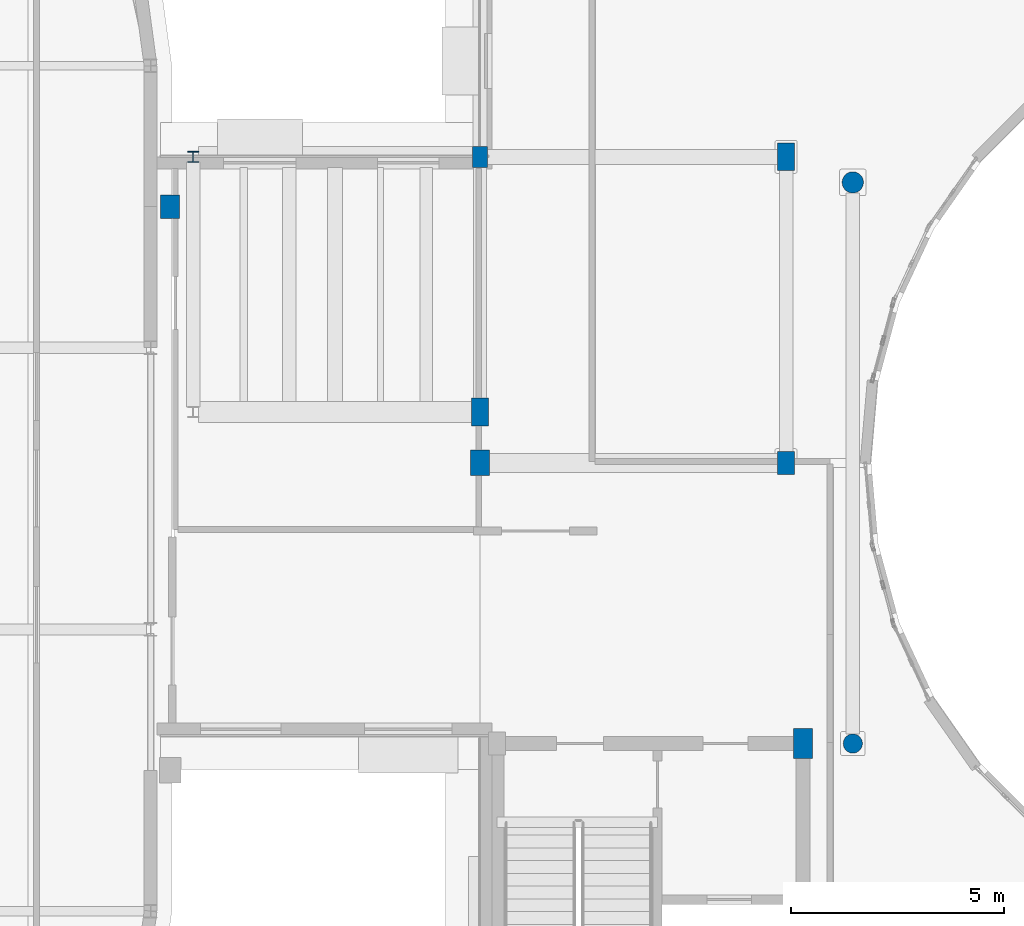
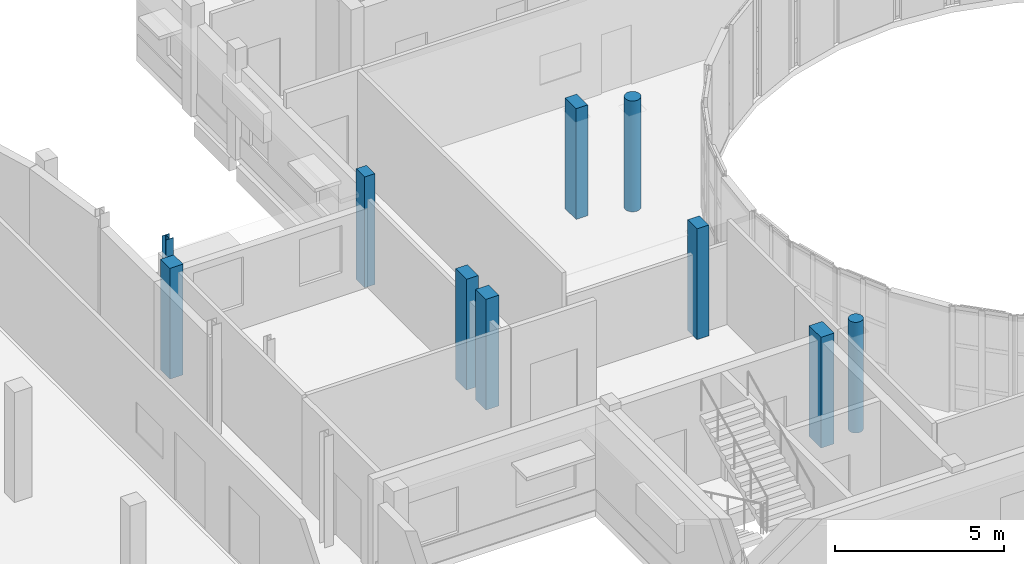
# One storey, part 6 of 105: 10 columns.
"""IFC4 building model written with IfcOpenShell, lengths in metres."""

import ifcopenshell
import ifcopenshell.guid

model = None  # the IFC model being written
_history = None  # IfcOwnerHistory: only IFC2X3 demands one
_inside = {}  # id of a spatial element -> (the spatial element, [elements in it])
_under = {}  # id of a project, library or spatial element -> (it, [spatial elements below it])
_declared = {}  # id of a project -> (the project, [libraries it declares])
_typed = {}  # id of a type object -> (the type object, [elements of that type])
_made_of = {}  # id of a material, layer set ... -> (it, [elements and type objects made of it])


def new_model(schema):
    """Start an empty IFC model of exactly this schema.

    Asked for "IFC4X3", IfcOpenShell would pick the latest addendum, in which some entities
    have other attributes; the version numbers below select the first issue.
    IFC2X3 requires an IfcOwnerHistory on every rooted entity: one is made here for all.
    """
    global model, _history
    if schema == "IFC4X3":
        model = ifcopenshell.file(schema_version=(4, 3, 0, 0))
    else:
        model = ifcopenshell.file(schema=schema)
    _inside.clear()
    _under.clear()
    _declared.clear()
    _typed.clear()
    _made_of.clear()
    _history = None
    if model.schema == "IFC2X3":
        org = make("IfcOrganization", Name="unknown")
        user = make(
            "IfcPersonAndOrganization",
            ThePerson=make("IfcPerson", FamilyName="unknown"),
            TheOrganization=org,
        )
        app = make(
            "IfcApplication",
            ApplicationDeveloper=org,
            Version="unknown",
            ApplicationFullName="unknown",
            ApplicationIdentifier="unknown",
        )
        _history = make(
            "IfcOwnerHistory",
            OwningUser=user,
            OwningApplication=app,
            ChangeAction="ADDED",
            CreationDate=0,
        )
    return model


def make(cls, **values):
    """One entity of the class cls with the attributes given. An attribute that is None is left unset."""
    return model.create_entity(
        cls, **{name: value for name, value in values.items() if value is not None}
    )


def rooted(cls, **values):
    """An entity with a GlobalId (a new one), such as an element, a storey or a relation."""
    return make(cls, GlobalId=ifcopenshell.guid.new(), OwnerHistory=_history, **values)


def si_unit(unit_type, name, prefix=None):
    """IfcSIUnit, for example si_unit("LENGTHUNIT", "METRE", prefix="MILLI")."""
    return make("IfcSIUnit", UnitType=unit_type, Prefix=prefix, Name=name)


def assignment(units):
    """IfcUnitAssignment: the units of a project."""
    return None if units is None else make("IfcUnitAssignment", Units=units)


def point(xyz):
    """IfcCartesianPoint."""
    return None if xyz is None else make("IfcCartesianPoint", Coordinates=xyz)


def direction(xyz):
    """IfcDirection."""
    return None if xyz is None else make("IfcDirection", DirectionRatios=xyz)


def frame(location, z_axis=None, x_axis=None):
    """IfcAxis2Placement3D, a coordinate frame: its origin and axes. An axis left out is left unset."""
    return make(
        "IfcAxis2Placement3D",
        Location=point(location),
        Axis=direction(z_axis),
        RefDirection=direction(x_axis),
    )


def frame_2d(location, x_axis=None):
    """IfcAxis2Placement2D, a coordinate frame in the plane: its origin and x axis."""
    return make(
        "IfcAxis2Placement2D", Location=point(location), RefDirection=direction(x_axis)
    )


def origin():
    """The frame at (0, 0, 0) with its axes left unset."""
    return frame((0.0, 0.0, 0.0))


def origin_2d():
    """The frame at (0, 0) in the plane with its x axis left unset."""
    return frame_2d((0.0, 0.0))


def place(relative_to, where):
    """IfcLocalPlacement: puts the frame where relative to a parent placement (None: the world)."""
    return make(
        "IfcLocalPlacement", PlacementRelTo=relative_to, RelativePlacement=where
    )


def context(
    kind, dimensions, precision=None, world=None, true_north=None, identifier=None
):
    """IfcGeometricRepresentationContext, for example the 3D "Model" context."""
    return make(
        "IfcGeometricRepresentationContext",
        ContextIdentifier=identifier,
        ContextType=kind,
        CoordinateSpaceDimension=dimensions,
        Precision=precision,
        WorldCoordinateSystem=world,
        TrueNorth=true_north,
    )


def subcontext(parent, identifier, kind, view, scale=None):
    """IfcGeometricRepresentationSubContext, for example "Body" below "Model"."""
    return make(
        "IfcGeometricRepresentationSubContext",
        ContextIdentifier=identifier,
        ContextType=kind,
        ParentContext=parent,
        TargetScale=scale,
        TargetView=view,
    )


def project(units=None, contexts=None):
    """IfcProject with its units and contexts."""
    return rooted(
        "IfcProject",
        Name="project",
        RepresentationContexts=contexts,
        UnitsInContext=assignment(units),
    )


def spatial(cls, under=None, at=None, **own):
    """A site, building, storey or space (cls), placed at a placement, below another one or the project."""
    s = rooted(cls, ObjectPlacement=at, **own)
    if under is not None:
        _under.setdefault(under.id(), (under, []))[1].append(s)
    return s


def profile(cls, at=None, kind="AREA", **sizes):
    """A parametric profile (cls). Its sizes go by their IFC names, for example OverallWidth=200.0."""
    return make(cls, ProfileType=kind, Position=at, **sizes)


def rectangle(**sizes):
    """IfcRectangleProfileDef."""
    return profile("IfcRectangleProfileDef", **sizes)


def circle(**sizes):
    """IfcCircleProfileDef."""
    return profile("IfcCircleProfileDef", **sizes)


def i_section(**sizes):
    """IfcIShapeProfileDef."""
    return profile("IfcIShapeProfileDef", **sizes)


def extrude(swept, where, along, depth):
    """IfcExtrudedAreaSolid: the profile swept, set in the frame where, extruded along a direction by depth."""
    return make(
        "IfcExtrudedAreaSolid",
        SweptArea=swept,
        Position=where,
        ExtrudedDirection=direction(along),
        Depth=depth,
    )


def shape(context_of_items, identifier, shape_type, items):
    """IfcShapeRepresentation: the items that make up one representation, for example the "Body"."""
    return make(
        "IfcShapeRepresentation",
        ContextOfItems=context_of_items,
        RepresentationIdentifier=identifier,
        RepresentationType=shape_type,
        Items=items,
    )


def material(Name=None, Category=None):
    """IfcMaterial."""
    return make("IfcMaterial", Name=Name, Category=Category)


def material_profile(
    of_material, cross_section, Name=None, Category=None, Priority=None
):
    """IfcMaterialProfile: a cross section and its material."""
    return make(
        "IfcMaterialProfile",
        Name=Name,
        Material=of_material,
        Profile=cross_section,
        Priority=Priority,
        Category=Category,
    )


def profile_set(profiles, Name=None, composite=None):
    """IfcMaterialProfileSet."""
    return make(
        "IfcMaterialProfileSet",
        Name=Name,
        MaterialProfiles=profiles,
        CompositeProfile=composite,
    )


def made_of(thing, what):
    """Note that an element or type object is made of a material, layer set ...; save() writes the relation."""
    if what is not None:
        _made_of.setdefault(what.id(), (what, []))[1].append(thing)
    return thing


def type_object(cls, material=None, **own):
    """A type object (cls), such as IfcWallType, which elements share."""
    return made_of(rooted(cls, **own), material)


def element(
    cls,
    number,
    at=None,
    inside=None,
    cuts=None,
    type_object=None,
    material=None,
    context=None,
    identifier="Body",
    shape_type=None,
    held_by="IfcProductDefinitionShape",
    body=None,
    shapes=None,
    **own,
):
    """One element of the class cls, such as IfcWall. Its Tag is "e" and its number.

    at: its placement. inside: the storey or other place that contains it. cuts: it is an
    opening in that element (IfcRelVoidsElement). A single representation is given by context,
    identifier, shape_type and body (its items); several are given by shapes. held_by: the class
    of the entity that holds the representations. save() writes the other relations.
    """
    e = rooted(cls, Tag="e%d" % number, ObjectPlacement=at, **own)
    if body is not None:
        shapes = [shape(context, identifier, shape_type, body)]
    if shapes is not None:
        e.Representation = make(held_by, Representations=shapes)
    if inside is not None:
        _inside.setdefault(inside.id(), (inside, []))[1].append(e)
    if cuts is not None:
        rooted(
            "IfcRelVoidsElement", RelatingBuildingElement=cuts, RelatedOpeningElement=e
        )
    if type_object is not None:
        _typed.setdefault(type_object.id(), (type_object, []))[1].append(e)
    return made_of(e, material)


def aggregate(whole, parts):
    """IfcRelAggregates: a whole, such as a stair, and the parts it consists of."""
    return rooted("IfcRelAggregates", RelatingObject=whole, RelatedObjects=parts)


def save(model, path):
    """Write the relations noted so far, then the file.

    IfcRelAggregates (storeys below a building ...), IfcRelContainedInSpatialStructure (elements
    in a storey), IfcRelDefinesByType, IfcRelAssociatesMaterial and IfcRelDeclares: one each for
    every whole, place, type object, material and project.
    """
    for whole, parts in _under.values():
        aggregate(whole, parts)
    for where, things in _inside.values():
        rooted(
            "IfcRelContainedInSpatialStructure",
            RelatedElements=things,
            RelatingStructure=where,
        )
    for kind, things in _typed.values():
        rooted("IfcRelDefinesByType", RelatedObjects=things, RelatingType=kind)
    for what, things in _made_of.values():
        rooted("IfcRelAssociatesMaterial", RelatedObjects=things, RelatingMaterial=what)
    for by, libraries in _declared.values():
        rooted("IfcRelDeclares", RelatingContext=by, RelatedDefinitions=libraries)
    model.write(path)


model = new_model("IFC4")

# Units and contexts
model_context = context("Model", 3, precision=1e-05, world=origin(), true_north=direction((0.0, 1.0)))
body_context = subcontext(model_context, "Body", "Model", "MODEL_VIEW")
ifc_project = project(units=[si_unit("LENGTHUNIT", "METRE"), si_unit("AREAUNIT", "SQUARE_METRE"), si_unit("VOLUMEUNIT", "CUBIC_METRE"), si_unit("PLANEANGLEUNIT", "RADIAN"), si_unit("MASSUNIT", "GRAM", prefix="KILO")], contexts=[model_context])

# Site, building, storey
site_placement = place(None, origin())
site = spatial("IfcSite", under=ifc_project, at=site_placement, CompositionType="ELEMENT")
building_placement = place(site_placement, origin())
building = spatial("IfcBuilding", under=site, at=building_placement, Name="Kelanivale Promenade Academy", CompositionType="ELEMENT")
storey_placement = place(building_placement, frame((0.0, 0.0, 4.199951171875)))
storey = spatial("IfcBuildingStorey", under=building, at=storey_placement, Name="L01", CompositionType="ELEMENT", Elevation=4.199951171875)

# Columns
ifc_material_1 = material(Name="Concrete C40/50", Category="concrete")
ifc_material_profile_1 = material_profile(ifc_material_1, rectangle(XDim=0.39990234375, YDim=0.550048828125, at=origin_2d()), Name="RC-COL 400x550")
ifc_profile_set_1 = profile_set([ifc_material_profile_1], Name="Concrete C40/50")
column_type_1 = type_object("IfcColumnType", Name="C-07 RC-COL 400x550", PredefinedType="COLUMN", material=ifc_profile_set_1)
column_1_placement = place(storey_placement, frame((50.39990234375, 56.800048828125, 0.0), z_axis=(0.0, 0.0, 1.0), x_axis=(1.0, 0.0, 0.0)))
element("IfcColumn", 1, at=column_1_placement, inside=storey, type_object=column_type_1, Name="Column C-07 at (50.4, 56.8) L01", PredefinedType="COLUMN", context=body_context, shape_type="SweptSolid", body=[
    extrude(rectangle(XDim=0.39990234375, YDim=0.550048828125, at=origin_2d()), origin(), (0.0, 0.0, 1.0), 4.0),
])
ifc_material_profile_2 = material_profile(ifc_material_1, rectangle(XDim=0.39990234375, YDim=0.64990234375, at=origin_2d()), Name="RC-COL 400x650")
ifc_profile_set_2 = profile_set([ifc_material_profile_2], Name="Concrete C40/50")
column_type_2 = type_object("IfcColumnType", Name="C-08 RC-COL 400x650", PredefinedType="COLUMN", material=ifc_profile_set_2)
for number, where, z_axis, x_axis, name in (
    (2, (43.199951171875, 58.0, 0.0), (0.0, 0.0, 1.0), (1.0, 0.0, 0.0), "Column C-08 at (43.2, 58.0) L01"),
    (3, (50.39990234375, 64.0, 0.0), (0.0, 0.0, 1.0), (1.0, 0.0, 0.0), "Column C-08 at (50.4, 64.0) L01"),
):
    element("IfcColumn", number, at=place(storey_placement, frame(where, z_axis=z_axis, x_axis=x_axis)), inside=storey, type_object=column_type_2, Name=name, PredefinedType="COLUMN", context=body_context, shape_type="SweptSolid", body=[
        extrude(rectangle(XDim=0.39990234375, YDim=0.64990234375, at=origin_2d()), origin(), (0.0, 0.0, 1.0), 4.0),
    ])
ifc_material_profile_3 = material_profile(ifc_material_1, rectangle(XDim=0.449951171875, YDim=0.60009765625, at=origin_2d()), Name="RC-COL 450x600")
ifc_profile_set_3 = profile_set([ifc_material_profile_3], Name="Concrete C40/50")
column_type_3 = type_object("IfcColumnType", Name="C-09 RC-COL 450x600", PredefinedType="COLUMN", material=ifc_profile_set_3)
column_2_placement = place(storey_placement, frame((43.199951171875, 56.800048828125, 0.0), z_axis=(0.0, 0.0, 1.0), x_axis=(1.0, 0.0, 0.0)))
element("IfcColumn", 4, at=column_2_placement, inside=storey, type_object=column_type_3, Name="Column C-09 at (43.2, 56.8) L01", PredefinedType="COLUMN", context=body_context, shape_type="SweptSolid", body=[
    extrude(rectangle(XDim=0.449951171875, YDim=0.60009765625, at=origin_2d()), origin(), (0.0, 0.0, 1.0), 4.0),
])
ifc_material_profile_4 = material_profile(ifc_material_1, rectangle(XDim=0.449951171875, YDim=0.699951171875, at=origin_2d()), Name="RC-COL 450x700")
ifc_profile_set_4 = profile_set([ifc_material_profile_4], Name="Concrete C40/50")
column_type_4 = type_object("IfcColumnType", Name="C-10 RC-COL 450x700", PredefinedType="COLUMN", material=ifc_profile_set_4)
column_3_placement = place(storey_placement, frame((50.800048828125, 50.199951171875, 0.0), z_axis=(0.0, 0.0, 1.0), x_axis=(1.0, 0.0, 0.0)))
element("IfcColumn", 5, at=column_3_placement, inside=storey, type_object=column_type_4, Name="Column C-10 at (50.8, 50.2) L01", PredefinedType="COLUMN", context=body_context, shape_type="SweptSolid", body=[
    extrude(rectangle(XDim=0.449951171875, YDim=0.699951171875, at=origin_2d()), origin(), (0.0, 0.0, 1.0), 4.0),
])
ifc_material_profile_5 = material_profile(ifc_material_1, circle(Radius=0.22509765625, at=origin_2d()), Name="RC-COL D450")
ifc_profile_set_5 = profile_set([ifc_material_profile_5], Name="Concrete C40/50")
column_type_5 = type_object("IfcColumnType", Name="CC-19 RC-COL D450", PredefinedType="COLUMN", material=ifc_profile_set_5)
column_4_placement = place(storey_placement, frame((51.968017578125, 50.199951171875, 0.0), z_axis=(0.0, 0.0, 1.0), x_axis=(1.0, 0.0, 0.0)))
element("IfcColumn", 6, at=column_4_placement, inside=storey, type_object=column_type_5, Name="Column CC-19 at (52.0, 50.2) L01", PredefinedType="COLUMN", context=body_context, shape_type="SweptSolid", body=[
    extrude(circle(Radius=0.22509765625, at=origin_2d()), origin(), (0.0, 0.0, 1.0), 4.0),
])
ifc_material_profile_6 = material_profile(ifc_material_1, circle(Radius=0.25, at=origin_2d()), Name="RC-COL D500")
ifc_profile_set_6 = profile_set([ifc_material_profile_6], Name="Concrete C40/50")
column_type_6 = type_object("IfcColumnType", Name="CC-20 RC-COL D500", PredefinedType="COLUMN", material=ifc_profile_set_6)
column_5_placement = place(storey_placement, frame((51.968017578125, 63.39990234375, 0.0), z_axis=(0.0, 0.0, 1.0), x_axis=(1.0, 0.0, 0.0)))
element("IfcColumn", 7, at=column_5_placement, inside=storey, type_object=column_type_6, Name="Column CC-20 at (52.0, 63.4) L01", PredefinedType="COLUMN", context=body_context, shape_type="SweptSolid", body=[
    extrude(circle(Radius=0.25, at=origin_2d()), origin(), (0.0, 0.0, 1.0), 4.0),
])
ifc_material_profile_7 = material_profile(ifc_material_1, rectangle(XDim=0.35009765625, YDim=0.5, at=origin_2d()), Name="RC-PIL 350x500")
ifc_profile_set_7 = profile_set([ifc_material_profile_7], Name="Concrete C40/50")
column_type_7 = type_object("IfcColumnType", Name="PL-15 RC-PIL 350x500", PredefinedType="PILASTER", material=ifc_profile_set_7)
column_6_placement = place(storey_placement, frame((43.199951171875, 64.0, 0.0), z_axis=(0.0, 0.0, 1.0), x_axis=(1.0, 0.0, 0.0)))
element("IfcColumn", 8, at=column_6_placement, inside=storey, type_object=column_type_7, Name="Column PL-15 at (43.2, 64.0) L01", PredefinedType="PILASTER", context=body_context, shape_type="SweptSolid", body=[
    extrude(rectangle(XDim=0.35009765625, YDim=0.5, at=origin_2d()), origin(), (0.0, 0.0, 1.0), 4.0),
])
ifc_material_profile_8 = material_profile(ifc_material_1, rectangle(XDim=0.449951171875, YDim=0.550048828125, at=origin_2d()), Name="RC-PIL 450x550")
ifc_profile_set_8 = profile_set([ifc_material_profile_8], Name="Concrete C40/50")
column_type_8 = type_object("IfcColumnType", Name="PL-17 RC-PIL 450x550", PredefinedType="PILASTER", material=ifc_profile_set_8)
column_7_placement = place(storey_placement, frame((35.909912109375, 62.8291015625, 0.0), z_axis=(0.0, 0.0, 1.0), x_axis=(1.0, 0.0, 0.0)))
element("IfcColumn", 9, at=column_7_placement, inside=storey, type_object=column_type_8, Name="Column PL-17 at (35.9, 62.8) L01", PredefinedType="PILASTER", context=body_context, shape_type="SweptSolid", body=[
    extrude(rectangle(XDim=0.449951171875, YDim=0.550048828125, at=origin_2d()), origin(), (0.0, 0.0, 1.0), 4.0),
])
ifc_material_2 = material(Name="Steel S355", Category="steel")
ifc_material_profile_9 = material_profile(ifc_material_2, i_section(OverallWidth=0.254638671875, OverallDepth=0.254150390625, WebThickness=0.008544921875, FlangeThickness=0.01416015625, FilletRadius=0.0126953125, at=origin_2d()), Name="UC 254x254x73")
ifc_profile_set_9 = profile_set([ifc_material_profile_9], Name="Steel S355")
column_type_9 = type_object("IfcColumnType", Name="SC-02 UC 254x254x73", PredefinedType="COLUMN", material=ifc_profile_set_9)
column_8_placement = place(storey_placement, frame((36.449951171875, 64.0, 0.0), z_axis=(0.0, 0.0, 1.0), x_axis=(1.0, 0.0, 0.0)))
element("IfcColumn", 10, at=column_8_placement, inside=storey, type_object=column_type_9, Name="Column SC-02 at (36.5, 64.0) L01", PredefinedType="COLUMN", context=body_context, shape_type="SweptSolid", body=[
    extrude(i_section(OverallWidth=0.254638671875, OverallDepth=0.254150390625, WebThickness=0.008544921875, FlangeThickness=0.01416015625, FilletRadius=0.0126953125, at=origin_2d()), origin(), (0.0, 0.0, 1.0), 4.0),
])

save(model, "model.ifc")
